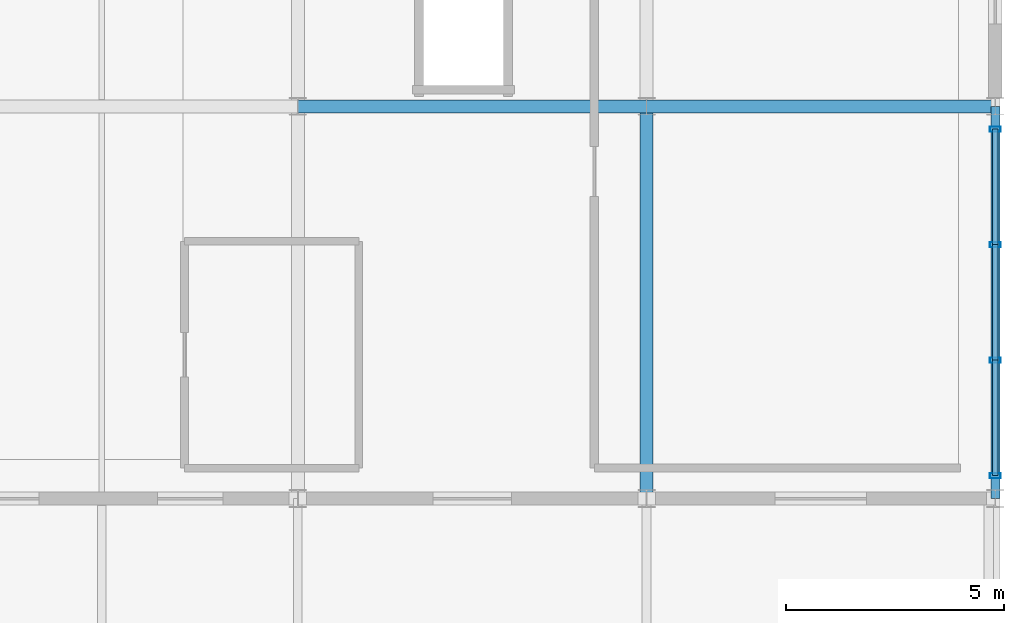
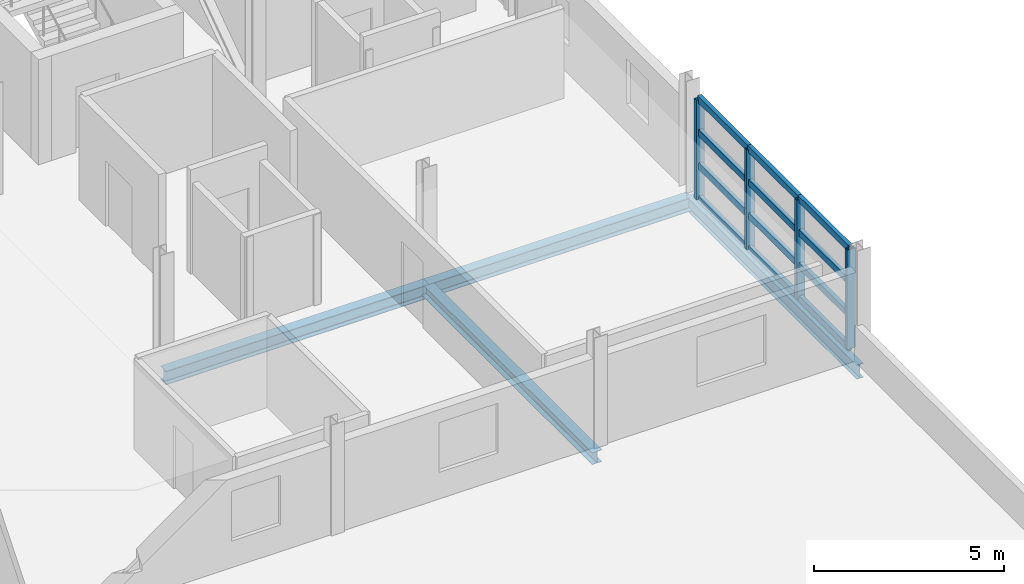
# One storey, part 71 of 116: 16 members, 4 beams, 1 element without a shape of its own.
"""IFC4 building model written with IfcOpenShell, lengths in metres."""

from ifc_helpers import new_model, si_unit, direction, frame, origin, origin_2d, place, context, subcontext, project, spatial, hollow_rectangle, i_section, extrude, material, material_profile, profile_set, type_object, element, aggregate, save


model = new_model("IFC4")

# Units and contexts
model_context = context("Model", 3, precision=1e-05, world=origin(), true_north=direction((0.0, 1.0)))
body_context = subcontext(model_context, "Body", "Model", "MODEL_VIEW")
ifc_project = project(units=[si_unit("LENGTHUNIT", "METRE"), si_unit("AREAUNIT", "SQUARE_METRE"), si_unit("VOLUMEUNIT", "CUBIC_METRE"), si_unit("PLANEANGLEUNIT", "RADIAN"), si_unit("MASSUNIT", "GRAM", prefix="KILO")], contexts=[model_context])

# Site, building, storey
site_placement = place(None, origin())
site = spatial("IfcSite", under=ifc_project, at=site_placement, CompositionType="ELEMENT")
building_placement = place(site_placement, origin())
building = spatial("IfcBuilding", under=site, at=building_placement, Name="Chuanluo Vaults Station", CompositionType="ELEMENT")
storey_placement = place(building_placement, frame((0.0, 0.0, 10.800048828125)))
storey = spatial("IfcBuildingStorey", under=building, at=storey_placement, Name="L02", CompositionType="ELEMENT", Elevation=10.800048828125)

# Beams
ifc_material_1 = material(Name="Steel Q355C", Category="steel")
ifc_material_profile_1 = material_profile(ifc_material_1, i_section(OverallWidth=0.300048828125, OverallDepth=0.389892578125, WebThickness=0.010009765625, FlangeThickness=0.01611328125, FilletRadius=0.02001953125, at=origin_2d()))
ifc_profile_set_1 = profile_set([ifc_material_profile_1], Name="Steel Q355C")
beam_type_1 = type_object("IfcBeamType", Name="BM-GRD-400", PredefinedType="BEAM", material=ifc_profile_set_1)
beam_1_placement = place(storey_placement, frame((180.0, 67.5, -0.4150390625), z_axis=(0.0, 1.0, 0.0), x_axis=(-1.0, 0.0, 0.0)))
element("IfcBeam", 1, at=beam_1_placement, inside=storey, type_object=beam_type_1, Name="Floor girder BM:GY:L02:0693", PredefinedType="BEAM", context=body_context, shape_type="SweptSolid", body=[
    extrude(i_section(OverallWidth=0.300048828125, OverallDepth=0.389892578125, WebThickness=0.010009765625, FlangeThickness=0.01611328125, FilletRadius=0.02001953125, at=origin_2d()), origin(), (0.0, 0.0, 1.0), 9.0),
])
ifc_material_2 = material(Name="Steel Q355C", Category="steel")
ifc_material_profile_2 = material_profile(ifc_material_2, i_section(OverallWidth=0.300048828125, OverallDepth=0.43994140625, WebThickness=0.010986328125, FlangeThickness=0.01806640625, FilletRadius=0.02001953125, at=origin_2d()))
ifc_profile_set_2 = profile_set([ifc_material_profile_2], Name="Steel Q355C")
beam_type_2 = type_object("IfcBeamType", Name="BM-GRD-450", PredefinedType="USERDEFINED", material=ifc_profile_set_2)
for number, where, z_axis, x_axis, name in (
    (2, (172.0, 76.5, -0.43994140625), (1.0, 0.0, 0.0), (0.0, 1.0, 0.0), "Floor girder BM:GX:L02:0586"),
    (3, (180.0, 76.5, -0.43994140625), (1.0, 0.0, 0.0), (0.0, 1.0, 0.0), "Floor girder BM:GX:L02:0587"),
):
    element("IfcBeam", number, at=place(storey_placement, frame(where, z_axis=z_axis, x_axis=x_axis)), inside=storey, type_object=beam_type_2, Name=name, ObjectType="GIRDER", PredefinedType="USERDEFINED", context=body_context, shape_type="SweptSolid", body=[
        extrude(i_section(OverallWidth=0.300048828125, OverallDepth=0.43994140625, WebThickness=0.010986328125, FlangeThickness=0.01806640625, FilletRadius=0.02001953125, at=origin_2d()), origin(), (0.0, 0.0, 1.0), 8.0),
    ])
ifc_material_3 = material(Name="Steel Q355C", Category="steel")
ifc_material_profile_3 = material_profile(ifc_material_3, i_section(OverallWidth=0.205078125, OverallDepth=0.4599609375, WebThickness=0.009033203125, FlangeThickness=0.013916015625, FilletRadius=0.01611328125, at=origin_2d()))
ifc_profile_set_3 = profile_set([ifc_material_profile_3], Name="Steel Q355C")
beam_type_3 = type_object("IfcBeamType", Name="BM-SPN-450", PredefinedType="SPANDREL", material=ifc_profile_set_3)
beam_2_placement = place(storey_placement, frame((188.0, 67.5, -0.449951171875), z_axis=(0.0, 1.0, 0.0), x_axis=(-1.0, 0.0, 0.0)))
element("IfcBeam", 4, at=beam_2_placement, inside=storey, type_object=beam_type_3, Name="Floor girder BM:GY:L02:0705", PredefinedType="SPANDREL", context=body_context, shape_type="SweptSolid", body=[
    extrude(i_section(OverallWidth=0.205078125, OverallDepth=0.4599609375, WebThickness=0.009033203125, FlangeThickness=0.013916015625, FilletRadius=0.01611328125, at=origin_2d()), origin(), (0.0, 0.0, 1.0), 9.0),
])

# Curtain wall, members
ifc_material_4 = material(Name="Anodised aluminium 6063-T6", Category="aluminium")
curtain_wall_type = type_object("IfcCurtainWallType", Name="CW-SYS-15", PredefinedType="NOTDEFINED", material=ifc_material_4)
curtain_wall_placement = place(storey_placement, origin())
curtain_wall = element("IfcCurtainWall", 5, at=curtain_wall_placement, inside=storey, type_object=curtain_wall_type, Name="Operations L02 facade CW", PredefinedType="NOTDEFINED")
ifc_material_5 = material(Name="Anodised aluminium 6063-T6", Category="aluminium")
ifc_material_profile_4 = material_profile(ifc_material_5, hollow_rectangle(XDim=0.1201171875, YDim=0.25, WallThickness=0.006103515625, at=origin_2d()))
ifc_profile_set_4 = profile_set([ifc_material_profile_4], Name="Anodised aluminium 6063-T6")
member_type_1 = type_object("IfcMemberType", Name="CWM-160", PredefinedType="MULLION", material=ifc_profile_set_4)
member_1_placement = place(storey_placement, frame((188.0, 75.97509765625, 0.0), z_axis=(0.0, 0.0, 1.0), x_axis=(0.0, -1.0, 0.0)))
member_1 = element("IfcMember", 6, at=member_1_placement, type_object=member_type_1, Name="Operations L02 facade CW mullion 1", PredefinedType="MULLION", context=body_context, shape_type="SweptSolid", body=[
    extrude(hollow_rectangle(XDim=0.1201171875, YDim=0.25, WallThickness=0.006103515625, at=origin_2d()), origin(), (0.0, 0.0, 1.0), 3.199951171875),
])
member_2_placement = place(storey_placement, frame((188.0, 73.324951171875, 0.0), z_axis=(0.0, 0.0, 1.0), x_axis=(0.0, -1.0, 0.0)))
member_2 = element("IfcMember", 7, at=member_2_placement, type_object=member_type_1, Name="Operations L02 facade CW mullion 2", PredefinedType="MULLION", context=body_context, shape_type="SweptSolid", body=[
    extrude(hollow_rectangle(XDim=0.1201171875, YDim=0.25, WallThickness=0.006103515625, at=origin_2d()), origin(), (0.0, 0.0, 1.0), 3.199951171875),
])
member_3_placement = place(storey_placement, frame((188.0, 70.675048828125, 0.0), z_axis=(0.0, 0.0, 1.0), x_axis=(0.0, -1.0, 0.0)))
member_3 = element("IfcMember", 8, at=member_3_placement, type_object=member_type_1, Name="Operations L02 facade CW mullion 3", PredefinedType="MULLION", context=body_context, shape_type="SweptSolid", body=[
    extrude(hollow_rectangle(XDim=0.1201171875, YDim=0.25, WallThickness=0.006103515625, at=origin_2d()), origin(), (0.0, 0.0, 1.0), 3.199951171875),
])
member_4_placement = place(storey_placement, frame((188.0, 68.02490234375, 0.0), z_axis=(0.0, 0.0, 1.0), x_axis=(0.0, -1.0, 0.0)))
member_4 = element("IfcMember", 9, at=member_4_placement, type_object=member_type_1, Name="Operations L02 facade CW mullion 4", PredefinedType="MULLION", context=body_context, shape_type="SweptSolid", body=[
    extrude(hollow_rectangle(XDim=0.1201171875, YDim=0.25, WallThickness=0.006103515625, at=origin_2d()), origin(), (0.0, 0.0, 1.0), 3.199951171875),
])
ifc_material_6 = material(Name="Anodised aluminium 6063-T6", Category="aluminium")
ifc_material_profile_5 = material_profile(ifc_material_6, hollow_rectangle(XDim=0.1201171875, YDim=0.205078125, WallThickness=0.006103515625, at=origin_2d()))
ifc_profile_set_5 = profile_set([ifc_material_profile_5], Name="Anodised aluminium 6063-T6")
member_type_2 = type_object("IfcMemberType", Name="CWT-130", PredefinedType="USERDEFINED", material=ifc_profile_set_5)
member_5_placement = place(storey_placement, frame((188.0, 75.97509765625, 0.0), z_axis=(0.0, -1.0, 0.0), x_axis=(1.0, 0.0, 0.0)))
member_5 = element("IfcMember", 10, at=member_5_placement, type_object=member_type_2, Name="Operations L02 facade CW transom 1.1", ObjectType="TRANSOM", PredefinedType="USERDEFINED", context=body_context, shape_type="SweptSolid", body=[
    extrude(hollow_rectangle(XDim=0.1201171875, YDim=0.205078125, WallThickness=0.006103515625, at=origin_2d()), origin(), (0.0, 0.0, 1.0), 2.650146484375),
])
member_6_placement = place(storey_placement, frame((188.0, 75.97509765625, 1.066650390625), z_axis=(0.0, -1.0, 0.0), x_axis=(1.0, 0.0, 0.0)))
member_6 = element("IfcMember", 11, at=member_6_placement, type_object=member_type_2, Name="Operations L02 facade CW transom 1.2", ObjectType="TRANSOM", PredefinedType="USERDEFINED", context=body_context, shape_type="SweptSolid", body=[
    extrude(hollow_rectangle(XDim=0.1201171875, YDim=0.205078125, WallThickness=0.006103515625, at=origin_2d()), origin(), (0.0, 0.0, 1.0), 2.650146484375),
])
member_7_placement = place(storey_placement, frame((188.0, 75.97509765625, 2.13330078125), z_axis=(0.0, -1.0, 0.0), x_axis=(1.0, 0.0, 0.0)))
member_7 = element("IfcMember", 12, at=member_7_placement, type_object=member_type_2, Name="Operations L02 facade CW transom 1.3", ObjectType="TRANSOM", PredefinedType="USERDEFINED", context=body_context, shape_type="SweptSolid", body=[
    extrude(hollow_rectangle(XDim=0.1201171875, YDim=0.205078125, WallThickness=0.006103515625, at=origin_2d()), origin(), (0.0, 0.0, 1.0), 2.650146484375),
])
member_8_placement = place(storey_placement, frame((188.0, 75.97509765625, 3.199951171875), z_axis=(0.0, -1.0, 0.0), x_axis=(1.0, 0.0, 0.0)))
member_8 = element("IfcMember", 13, at=member_8_placement, type_object=member_type_2, Name="Operations L02 facade CW transom 1.4", ObjectType="TRANSOM", PredefinedType="USERDEFINED", context=body_context, shape_type="SweptSolid", body=[
    extrude(hollow_rectangle(XDim=0.1201171875, YDim=0.205078125, WallThickness=0.006103515625, at=origin_2d()), origin(), (0.0, 0.0, 1.0), 2.650146484375),
])
member_9_placement = place(storey_placement, frame((188.0, 73.324951171875, 0.0), z_axis=(0.0, -1.0, 0.0), x_axis=(1.0, 0.0, 0.0)))
member_9 = element("IfcMember", 14, at=member_9_placement, type_object=member_type_2, Name="Operations L02 facade CW transom 2.1", ObjectType="TRANSOM", PredefinedType="USERDEFINED", context=body_context, shape_type="SweptSolid", body=[
    extrude(hollow_rectangle(XDim=0.1201171875, YDim=0.205078125, WallThickness=0.006103515625, at=origin_2d()), origin(), (0.0, 0.0, 1.0), 2.64990234375),
])
member_10_placement = place(storey_placement, frame((188.0, 73.324951171875, 1.066650390625), z_axis=(0.0, -1.0, 0.0), x_axis=(1.0, 0.0, 0.0)))
member_10 = element("IfcMember", 15, at=member_10_placement, type_object=member_type_2, Name="Operations L02 facade CW transom 2.2", ObjectType="TRANSOM", PredefinedType="USERDEFINED", context=body_context, shape_type="SweptSolid", body=[
    extrude(hollow_rectangle(XDim=0.1201171875, YDim=0.205078125, WallThickness=0.006103515625, at=origin_2d()), origin(), (0.0, 0.0, 1.0), 2.64990234375),
])
member_11_placement = place(storey_placement, frame((188.0, 73.324951171875, 2.13330078125), z_axis=(0.0, -1.0, 0.0), x_axis=(1.0, 0.0, 0.0)))
member_11 = element("IfcMember", 16, at=member_11_placement, type_object=member_type_2, Name="Operations L02 facade CW transom 2.3", ObjectType="TRANSOM", PredefinedType="USERDEFINED", context=body_context, shape_type="SweptSolid", body=[
    extrude(hollow_rectangle(XDim=0.1201171875, YDim=0.205078125, WallThickness=0.006103515625, at=origin_2d()), origin(), (0.0, 0.0, 1.0), 2.64990234375),
])
member_12_placement = place(storey_placement, frame((188.0, 73.324951171875, 3.199951171875), z_axis=(0.0, -1.0, 0.0), x_axis=(1.0, 0.0, 0.0)))
member_12 = element("IfcMember", 17, at=member_12_placement, type_object=member_type_2, Name="Operations L02 facade CW transom 2.4", ObjectType="TRANSOM", PredefinedType="USERDEFINED", context=body_context, shape_type="SweptSolid", body=[
    extrude(hollow_rectangle(XDim=0.1201171875, YDim=0.205078125, WallThickness=0.006103515625, at=origin_2d()), origin(), (0.0, 0.0, 1.0), 2.64990234375),
])
member_13_placement = place(storey_placement, frame((188.0, 70.675048828125, 0.0), z_axis=(0.0, -1.0, 0.0), x_axis=(1.0, 0.0, 0.0)))
member_13 = element("IfcMember", 18, at=member_13_placement, type_object=member_type_2, Name="Operations L02 facade CW transom 3.1", ObjectType="TRANSOM", PredefinedType="USERDEFINED", context=body_context, shape_type="SweptSolid", body=[
    extrude(hollow_rectangle(XDim=0.1201171875, YDim=0.205078125, WallThickness=0.006103515625, at=origin_2d()), origin(), (0.0, 0.0, 1.0), 2.650146484375),
])
member_14_placement = place(storey_placement, frame((188.0, 70.675048828125, 1.066650390625), z_axis=(0.0, -1.0, 0.0), x_axis=(1.0, 0.0, 0.0)))
member_14 = element("IfcMember", 19, at=member_14_placement, type_object=member_type_2, Name="Operations L02 facade CW transom 3.2", ObjectType="TRANSOM", PredefinedType="USERDEFINED", context=body_context, shape_type="SweptSolid", body=[
    extrude(hollow_rectangle(XDim=0.1201171875, YDim=0.205078125, WallThickness=0.006103515625, at=origin_2d()), origin(), (0.0, 0.0, 1.0), 2.650146484375),
])
member_15_placement = place(storey_placement, frame((188.0, 70.675048828125, 2.13330078125), z_axis=(0.0, -1.0, 0.0), x_axis=(1.0, 0.0, 0.0)))
member_15 = element("IfcMember", 20, at=member_15_placement, type_object=member_type_2, Name="Operations L02 facade CW transom 3.3", ObjectType="TRANSOM", PredefinedType="USERDEFINED", context=body_context, shape_type="SweptSolid", body=[
    extrude(hollow_rectangle(XDim=0.1201171875, YDim=0.205078125, WallThickness=0.006103515625, at=origin_2d()), origin(), (0.0, 0.0, 1.0), 2.650146484375),
])
member_16_placement = place(storey_placement, frame((188.0, 70.675048828125, 3.199951171875), z_axis=(0.0, -1.0, 0.0), x_axis=(1.0, 0.0, 0.0)))
member_16 = element("IfcMember", 21, at=member_16_placement, type_object=member_type_2, Name="Operations L02 facade CW transom 3.4", ObjectType="TRANSOM", PredefinedType="USERDEFINED", context=body_context, shape_type="SweptSolid", body=[
    extrude(hollow_rectangle(XDim=0.1201171875, YDim=0.205078125, WallThickness=0.006103515625, at=origin_2d()), origin(), (0.0, 0.0, 1.0), 2.650146484375),
])
aggregate(curtain_wall, [member_1, member_2, member_3, member_4, member_5, member_6, member_7, member_8, member_9, member_10, member_11, member_12, member_13, member_14, member_15, member_16])

save(model, "model.ifc")
